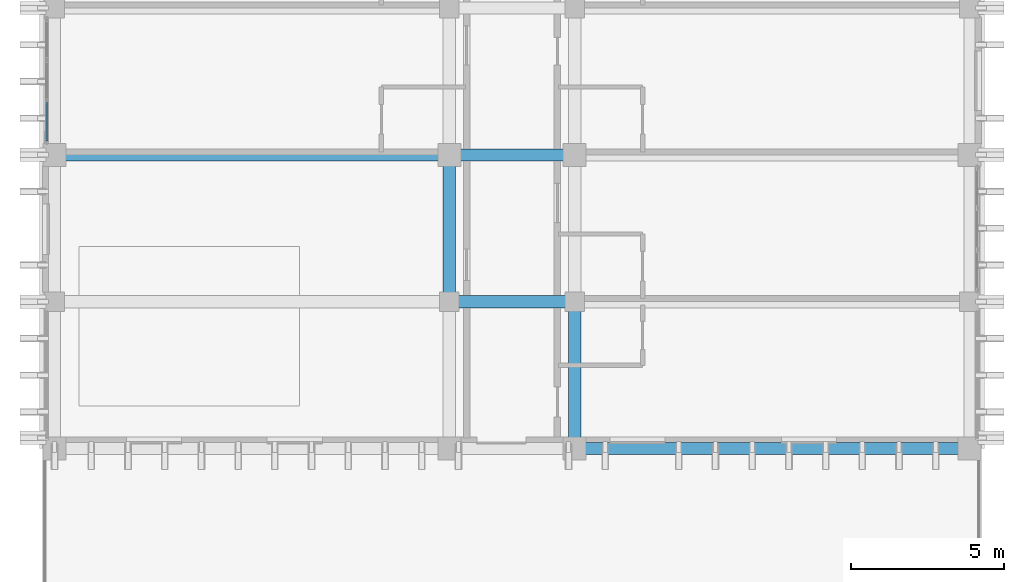
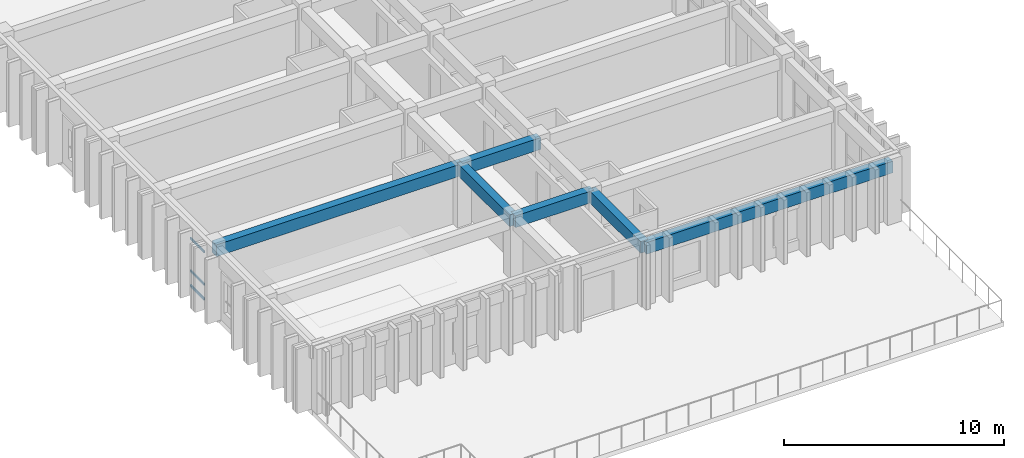
# One storey, part 5 of 64: 6 beams, 3 members, 1 element without a shape of its own.
"""IFC4 building model written with IfcOpenShell, lengths in metres."""

from ifc_helpers import new_model, si_unit, direction, frame, origin, origin_2d, place, context, subcontext, project, spatial, rectangle, hollow_rectangle, extrude, material, layer, layer_set, material_profile, profile_set, type_object, element, aggregate, save


model = new_model("IFC4")

# Units and contexts
model_context = context("Model", 3, precision=1e-05, world=origin(), true_north=direction((0.0, 1.0)))
body_context = subcontext(model_context, "Body", "Model", "MODEL_VIEW")
ifc_project = project(units=[si_unit("LENGTHUNIT", "METRE"), si_unit("AREAUNIT", "SQUARE_METRE"), si_unit("VOLUMEUNIT", "CUBIC_METRE"), si_unit("PLANEANGLEUNIT", "RADIAN"), si_unit("MASSUNIT", "GRAM", prefix="KILO")], contexts=[model_context])

# Site, building, storey
site_placement = place(None, origin())
site = spatial("IfcSite", under=ifc_project, at=site_placement, CompositionType="ELEMENT")
building_placement = place(site_placement, origin())
building = spatial("IfcBuilding", under=site, at=building_placement, Name="Nakhvara Creek Congress Hotel", CompositionType="ELEMENT")
storey_placement = place(building_placement, frame((0.0, 0.0, 28.199951171875)))
storey = spatial("IfcBuildingStorey", under=building, at=storey_placement, Name="L06", CompositionType="ELEMENT", Elevation=28.199951171875)

# Beams
ifc_material_1 = material(Name="Concrete C40/50", Category="concrete")
ifc_material_profile_1 = material_profile(ifc_material_1, rectangle(XDim=0.39990234375, YDim=0.64990234375, at=origin_2d()), Name="RC-BM 400x650", Category="LoadBearing")
ifc_profile_set_1 = profile_set([ifc_material_profile_1], Name="Concrete C40/50")
beam_type = type_object("IfcBeamType", Name="BM-RC-400X650", PredefinedType="BEAM", material=ifc_profile_set_1)
beam_1_placement = place(storey_placement, frame((149.449951171875, 48.0, 3.01513671875), z_axis=(1.0, 0.0, 0.0), x_axis=(0.0, 1.0, 0.0)))
element("IfcBeam", 1, at=beam_1_placement, inside=storey, type_object=beam_type, Name="Beam B06-L06-2195", PredefinedType="BEAM", context=body_context, shape_type="SweptSolid", body=[
    extrude(rectangle(XDim=0.39990234375, YDim=0.64990234375, at=origin_2d()), origin(), (0.0, 0.0, 1.0), 12.900146484375),
])
beam_2_placement = place(storey_placement, frame((162.35009765625, 48.0, 3.01513671875), z_axis=(1.0, 0.0, 0.0), x_axis=(0.0, 1.0, 0.0)))
element("IfcBeam", 2, at=beam_2_placement, inside=storey, type_object=beam_type, Name="Beam B06-L06-2221", PredefinedType="BEAM", context=body_context, shape_type="SweptSolid", body=[
    extrude(rectangle(XDim=0.39990234375, YDim=0.64990234375, at=origin_2d()), origin(), (0.0, 0.0, 1.0), 4.099853515625),
])
beam_3_placement = place(storey_placement, frame((162.35009765625, 43.199951171875, 3.01513671875), z_axis=(0.0, 1.0, 0.0), x_axis=(-1.0, 0.0, 0.0)))
element("IfcBeam", 3, at=beam_3_placement, inside=storey, type_object=beam_type, Name="Beam B06-L06-2222", PredefinedType="BEAM", context=body_context, shape_type="SweptSolid", body=[
    extrude(rectangle(XDim=0.39990234375, YDim=0.64990234375, at=origin_2d()), origin(), (0.0, 0.0, 1.0), 4.800048828125),
])
beam_4_placement = place(storey_placement, frame((166.449951171875, 38.39990234375, 3.01513671875), z_axis=(1.0, 0.0, 0.0), x_axis=(0.0, 1.0, 0.0)))
element("IfcBeam", 4, at=beam_4_placement, inside=storey, type_object=beam_type, Name="Beam B06-L06-2247", PredefinedType="BEAM", context=body_context, shape_type="SweptSolid", body=[
    extrude(rectangle(XDim=0.39990234375, YDim=0.64990234375, at=origin_2d()), origin(), (0.0, 0.0, 1.0), 12.900146484375),
])
beam_5_placement = place(storey_placement, frame((166.449951171875, 38.39990234375, 3.01513671875), z_axis=(0.0, 1.0, 0.0), x_axis=(-1.0, 0.0, 0.0)))
element("IfcBeam", 5, at=beam_5_placement, inside=storey, type_object=beam_type, Name="Beam B06-L06-2248", PredefinedType="BEAM", context=body_context, shape_type="SweptSolid", body=[
    extrude(rectangle(XDim=0.39990234375, YDim=0.64990234375, at=origin_2d()), origin(), (0.0, 0.0, 1.0), 4.800048828125),
])
beam_6_placement = place(storey_placement, frame((162.35009765625, 43.199951171875, 3.01513671875), z_axis=(1.0, 0.0, 0.0), x_axis=(0.0, 1.0, 0.0)))
element("IfcBeam", 6, at=beam_6_placement, inside=storey, type_object=beam_type, Name="Beam B06-L06-2300", PredefinedType="BEAM", context=body_context, shape_type="SweptSolid", body=[
    extrude(rectangle(XDim=0.39990234375, YDim=0.64990234375, at=origin_2d()), origin(), (0.0, 0.0, 1.0), 4.099853515625),
])

# Curtain wall, members
ifc_material_2 = material(Name="Bronze-anodised aluminium AW-6063-T6 and double-silver low-E glass", Category="aluminium")
ifc_layer = layer(ifc_material_2, 0.199951171875)
ifc_layer_set = layer_set([ifc_layer], Name="Bronze-anodised aluminium AW-6063-T6 and double-silver low-E glass")
curtain_wall_type = type_object("IfcCurtainWallType", Name="CW-HTL-UNIT", PredefinedType="USERDEFINED", material=ifc_layer_set)
curtain_wall_placement = place(storey_placement, origin())
curtain_wall = element("IfcCurtainWall", 7, at=curtain_wall_placement, inside=storey, type_object=curtain_wall_type, Name="Curtain Wall CW232", ObjectType="UNITISED", PredefinedType="USERDEFINED")
ifc_material_3 = material(Name="Bronze-anodised aluminium AW-6063-T6", Category="aluminium")
ifc_material_profile_2 = material_profile(ifc_material_3, hollow_rectangle(XDim=0.06494140625, YDim=0.1201171875, WallThickness=0.00390625, at=origin_2d()), Name="ALU-TRAN 65x120x4", Category="LoadBearing")
ifc_profile_set_2 = profile_set([ifc_material_profile_2], Name="Bronze-anodised aluminium AW-6063-T6")
member_type = type_object("IfcMemberType", Name="CW-TRAN-120", PredefinedType="USERDEFINED", material=ifc_profile_set_2)
member_1_placement = place(storey_placement, frame((149.199951171875, 48.455078125, 0.032470703125), z_axis=(0.0, 1.0, 0.0), x_axis=(-1.0, 0.0, 0.0)))
member_1 = element("IfcMember", 8, at=member_1_placement, type_object=member_type, Name="CW232 transom 1.1", ObjectType="TRANSOM", PredefinedType="USERDEFINED", context=body_context, shape_type="SweptSolid", body=[
    extrude(hollow_rectangle(XDim=0.06494140625, YDim=0.1201171875, WallThickness=0.00390625, at=origin_2d()), origin(), (0.0, 0.0, 1.0), 1.259033203125),
])
member_2_placement = place(storey_placement, frame((149.199951171875, 48.455078125, 0.85009765625), z_axis=(0.0, 1.0, 0.0), x_axis=(-1.0, 0.0, 0.0)))
member_2 = element("IfcMember", 9, at=member_2_placement, type_object=member_type, Name="CW232 transom 1.2", ObjectType="TRANSOM", PredefinedType="USERDEFINED", context=body_context, shape_type="SweptSolid", body=[
    extrude(hollow_rectangle(XDim=0.06494140625, YDim=0.1201171875, WallThickness=0.00390625, at=origin_2d()), origin(), (0.0, 0.0, 1.0), 1.259033203125),
])
member_3_placement = place(storey_placement, frame((149.199951171875, 48.455078125, 2.649658203125), z_axis=(0.0, 1.0, 0.0), x_axis=(-1.0, 0.0, 0.0)))
member_3 = element("IfcMember", 10, at=member_3_placement, type_object=member_type, Name="CW232 transom 1.3", ObjectType="TRANSOM", PredefinedType="USERDEFINED", context=body_context, shape_type="SweptSolid", body=[
    extrude(hollow_rectangle(XDim=0.06494140625, YDim=0.1201171875, WallThickness=0.00390625, at=origin_2d()), origin(), (0.0, 0.0, 1.0), 1.259033203125),
])
aggregate(curtain_wall, [member_1, member_2, member_3])

save(model, "model.ifc")
